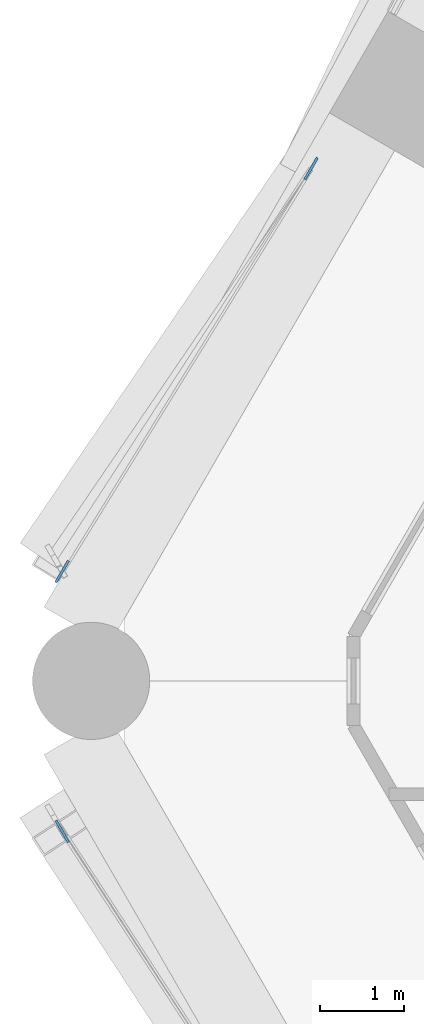
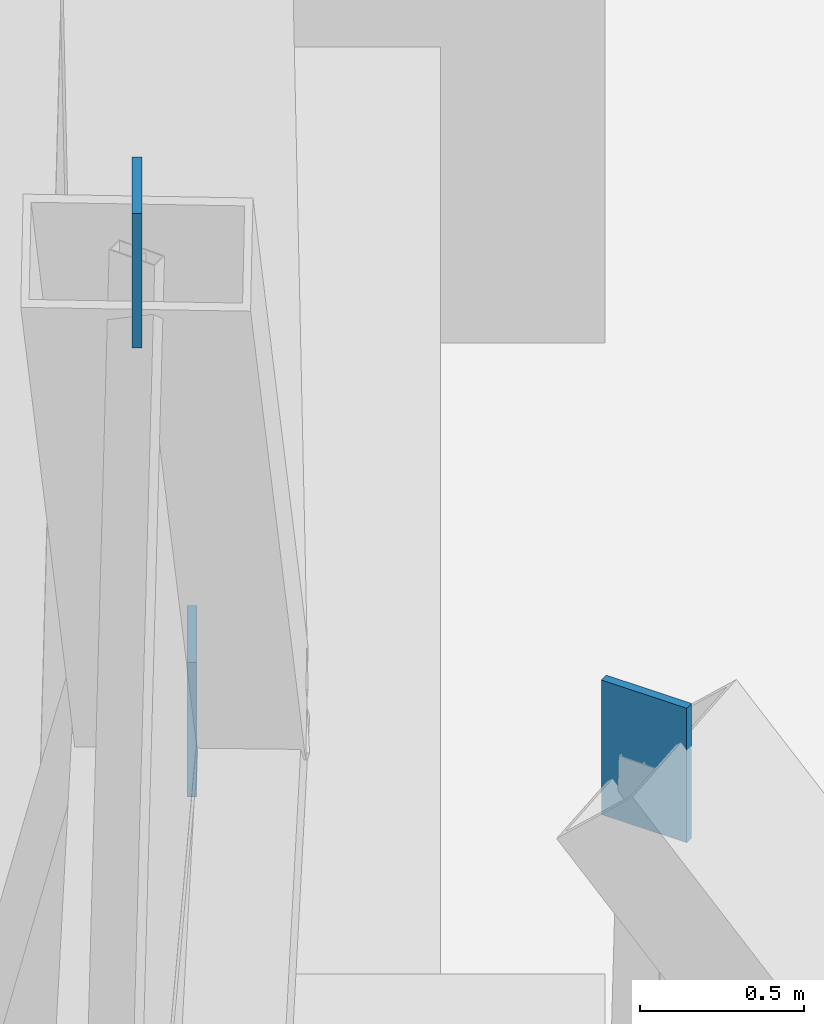
# One storey, part 18 of 22: 3 discrete accessories.
"""IFC4 building model written with IfcOpenShell, lengths in metres."""

from ifc_helpers import new_model, si_unit, direction, frame, origin, origin_2d, place, context, subcontext, project, spatial, rectangle, extrude, material, layer, layer_set, type_object, element, save


model = new_model("IFC4")

# Units and contexts
model_context = context("Model", 3, precision=1e-05, world=origin(), true_north=direction((0.0, 1.0)))
body_context = subcontext(model_context, "Body", "Model", "MODEL_VIEW")
ifc_project = project(units=[si_unit("LENGTHUNIT", "METRE"), si_unit("AREAUNIT", "SQUARE_METRE"), si_unit("VOLUMEUNIT", "CUBIC_METRE"), si_unit("PLANEANGLEUNIT", "RADIAN"), si_unit("MASSUNIT", "GRAM", prefix="KILO")], contexts=[model_context])

# Site, building, storey
site_placement = place(None, origin())
site = spatial("IfcSite", under=ifc_project, at=site_placement, CompositionType="ELEMENT")
building_placement = place(site_placement, origin())
building = spatial("IfcBuilding", under=site, at=building_placement, Name="Ostrander Bayou Hotel Tower", CompositionType="ELEMENT")
storey_placement = place(building_placement, frame((0.0, 0.0, 46.75)))
storey = spatial("IfcBuildingStorey", under=building, at=storey_placement, Name="L11", CompositionType="ELEMENT", Elevation=46.75)

# Discrete accessories
ifc_material = material(Name="Steel ASTM A572 Gr 50", Category="steel")
ifc_layer = layer(ifc_material, 0.030029296875)
ifc_layer_set = layer_set([ifc_layer], Name="GP1 gusset plate 30 mm")
discrete_accessory_type = type_object("IfcDiscreteAccessoryType", Name="GP1 gusset plate 30 mm", PredefinedType="BRACKET", material=ifc_layer_set)
for number, where, z_axis, x_axis, name in (
    (1, (-21.33349609375, 5.871826171875, 4.77490234375), (0.0, 0.0, 1.0), (-0.5, -0.866025403784, 0.0), "GP1 gusset plate lat 94"),
    (2, (-24.304931640625, 1.060546875, 10.39990234375), (0.0, 0.0, 1.0), (-0.5, -0.866025403784, 0.0), "GP1 gusset plate lat 95"),
    (3, (-24.304931640625, -2.04248046875, 10.39990234375), (0.0, 0.0, 1.0), (0.5, -0.866025403784, 0.0), "GP1 gusset plate lat 97"),
):
    element("IfcDiscreteAccessory", number, at=place(storey_placement, frame(where, z_axis=z_axis, x_axis=x_axis)), inside=storey, type_object=discrete_accessory_type, Name=name, PredefinedType="BRACKET", context=body_context, shape_type="SweptSolid", body=[
        extrude(rectangle(XDim=0.300048828125, YDim=0.030029296875, at=origin_2d()), origin(), (0.0, 0.0, 1.0), 0.5),
    ])

save(model, "model.ifc")
